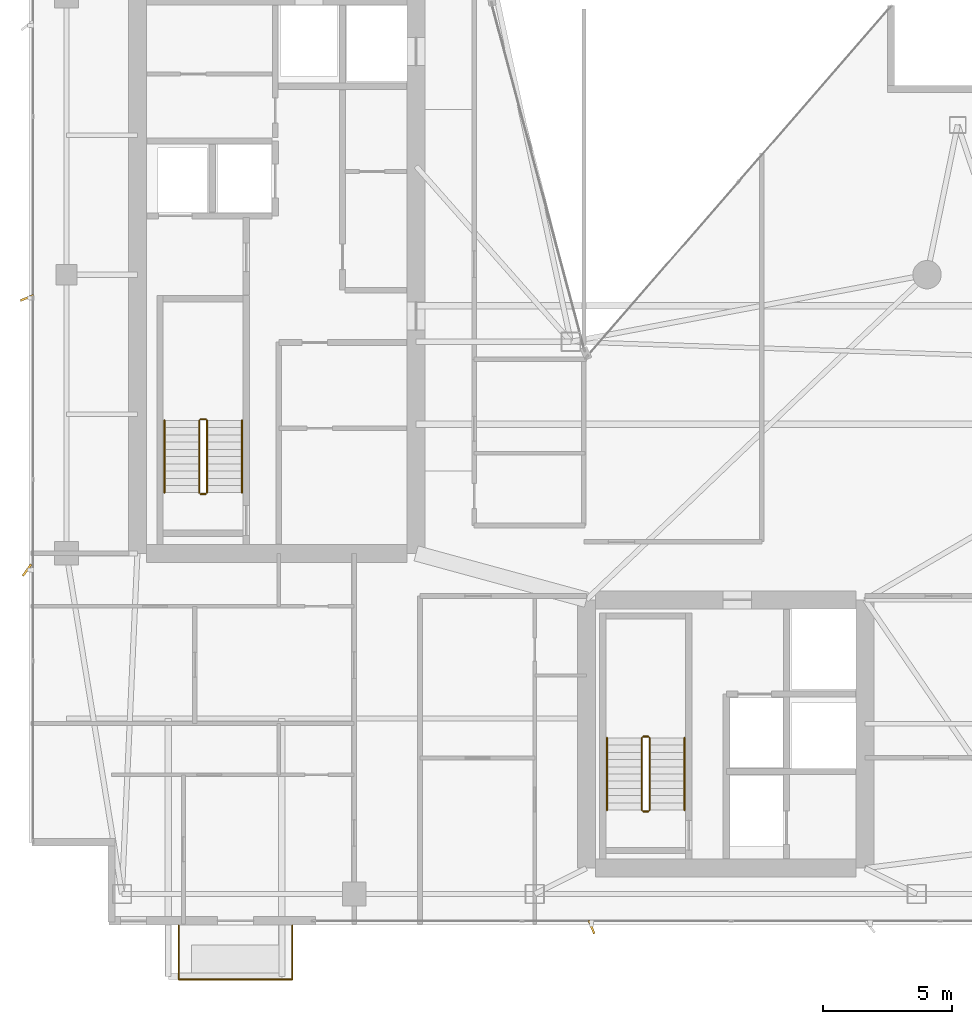
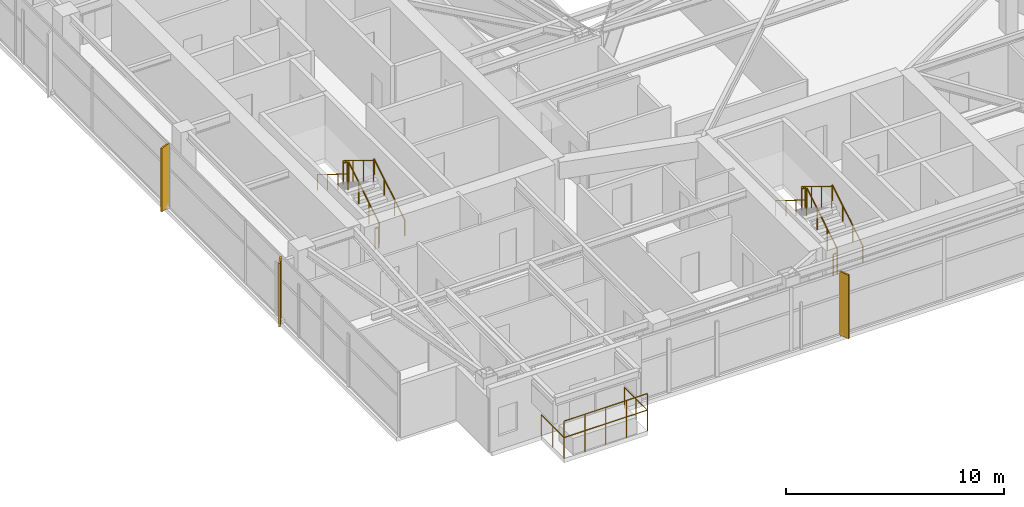
# One storey, part 28 of 29: 14 railings, 3 shading devices.
"""IFC4 building model written with IfcOpenShell, lengths in metres."""

import ifcopenshell
import ifcopenshell.guid

model = None  # the IFC model being written
_history = None  # IfcOwnerHistory: only IFC2X3 demands one
_inside = {}  # id of a spatial element -> (the spatial element, [elements in it])
_under = {}  # id of a project, library or spatial element -> (it, [spatial elements below it])
_declared = {}  # id of a project -> (the project, [libraries it declares])
_typed = {}  # id of a type object -> (the type object, [elements of that type])
_made_of = {}  # id of a material, layer set ... -> (it, [elements and type objects made of it])


def new_model(schema):
    """Start an empty IFC model of exactly this schema.

    Asked for "IFC4X3", IfcOpenShell would pick the latest addendum, in which some entities
    have other attributes; the version numbers below select the first issue.
    IFC2X3 requires an IfcOwnerHistory on every rooted entity: one is made here for all.
    """
    global model, _history
    if schema == "IFC4X3":
        model = ifcopenshell.file(schema_version=(4, 3, 0, 0))
    else:
        model = ifcopenshell.file(schema=schema)
    _inside.clear()
    _under.clear()
    _declared.clear()
    _typed.clear()
    _made_of.clear()
    _history = None
    if model.schema == "IFC2X3":
        org = make("IfcOrganization", Name="unknown")
        user = make(
            "IfcPersonAndOrganization",
            ThePerson=make("IfcPerson", FamilyName="unknown"),
            TheOrganization=org,
        )
        app = make(
            "IfcApplication",
            ApplicationDeveloper=org,
            Version="unknown",
            ApplicationFullName="unknown",
            ApplicationIdentifier="unknown",
        )
        _history = make(
            "IfcOwnerHistory",
            OwningUser=user,
            OwningApplication=app,
            ChangeAction="ADDED",
            CreationDate=0,
        )
    return model


def make(cls, **values):
    """One entity of the class cls with the attributes given. An attribute that is None is left unset."""
    return model.create_entity(
        cls, **{name: value for name, value in values.items() if value is not None}
    )


def rooted(cls, **values):
    """An entity with a GlobalId (a new one), such as an element, a storey or a relation."""
    return make(cls, GlobalId=ifcopenshell.guid.new(), OwnerHistory=_history, **values)


def si_unit(unit_type, name, prefix=None):
    """IfcSIUnit, for example si_unit("LENGTHUNIT", "METRE", prefix="MILLI")."""
    return make("IfcSIUnit", UnitType=unit_type, Prefix=prefix, Name=name)


def assignment(units):
    """IfcUnitAssignment: the units of a project."""
    return None if units is None else make("IfcUnitAssignment", Units=units)


def point(xyz):
    """IfcCartesianPoint."""
    return None if xyz is None else make("IfcCartesianPoint", Coordinates=xyz)


def direction(xyz):
    """IfcDirection."""
    return None if xyz is None else make("IfcDirection", DirectionRatios=xyz)


def frame(location, z_axis=None, x_axis=None):
    """IfcAxis2Placement3D, a coordinate frame: its origin and axes. An axis left out is left unset."""
    return make(
        "IfcAxis2Placement3D",
        Location=point(location),
        Axis=direction(z_axis),
        RefDirection=direction(x_axis),
    )


def frame_2d(location, x_axis=None):
    """IfcAxis2Placement2D, a coordinate frame in the plane: its origin and x axis."""
    return make(
        "IfcAxis2Placement2D", Location=point(location), RefDirection=direction(x_axis)
    )


def origin():
    """The frame at (0, 0, 0) with its axes left unset."""
    return frame((0.0, 0.0, 0.0))


def origin_2d():
    """The frame at (0, 0) in the plane with its x axis left unset."""
    return frame_2d((0.0, 0.0))


def place(relative_to, where):
    """IfcLocalPlacement: puts the frame where relative to a parent placement (None: the world)."""
    return make(
        "IfcLocalPlacement", PlacementRelTo=relative_to, RelativePlacement=where
    )


def context(
    kind, dimensions, precision=None, world=None, true_north=None, identifier=None
):
    """IfcGeometricRepresentationContext, for example the 3D "Model" context."""
    return make(
        "IfcGeometricRepresentationContext",
        ContextIdentifier=identifier,
        ContextType=kind,
        CoordinateSpaceDimension=dimensions,
        Precision=precision,
        WorldCoordinateSystem=world,
        TrueNorth=true_north,
    )


def subcontext(parent, identifier, kind, view, scale=None):
    """IfcGeometricRepresentationSubContext, for example "Body" below "Model"."""
    return make(
        "IfcGeometricRepresentationSubContext",
        ContextIdentifier=identifier,
        ContextType=kind,
        ParentContext=parent,
        TargetScale=scale,
        TargetView=view,
    )


def project(units=None, contexts=None):
    """IfcProject with its units and contexts."""
    return rooted(
        "IfcProject",
        Name="project",
        RepresentationContexts=contexts,
        UnitsInContext=assignment(units),
    )


def spatial(cls, under=None, at=None, **own):
    """A site, building, storey or space (cls), placed at a placement, below another one or the project."""
    s = rooted(cls, ObjectPlacement=at, **own)
    if under is not None:
        _under.setdefault(under.id(), (under, []))[1].append(s)
    return s


def profile(cls, at=None, kind="AREA", **sizes):
    """A parametric profile (cls). Its sizes go by their IFC names, for example OverallWidth=200.0."""
    return make(cls, ProfileType=kind, Position=at, **sizes)


def rectangle(**sizes):
    """IfcRectangleProfileDef."""
    return profile("IfcRectangleProfileDef", **sizes)


def circle(**sizes):
    """IfcCircleProfileDef."""
    return profile("IfcCircleProfileDef", **sizes)


def extrude(swept, where, along, depth):
    """IfcExtrudedAreaSolid: the profile swept, set in the frame where, extruded along a direction by depth."""
    return make(
        "IfcExtrudedAreaSolid",
        SweptArea=swept,
        Position=where,
        ExtrudedDirection=direction(along),
        Depth=depth,
    )


def shape(context_of_items, identifier, shape_type, items):
    """IfcShapeRepresentation: the items that make up one representation, for example the "Body"."""
    return make(
        "IfcShapeRepresentation",
        ContextOfItems=context_of_items,
        RepresentationIdentifier=identifier,
        RepresentationType=shape_type,
        Items=items,
    )


def material(Name=None, Category=None):
    """IfcMaterial."""
    return make("IfcMaterial", Name=Name, Category=Category)


def made_of(thing, what):
    """Note that an element or type object is made of a material, layer set ...; save() writes the relation."""
    if what is not None:
        _made_of.setdefault(what.id(), (what, []))[1].append(thing)
    return thing


def type_object(cls, material=None, **own):
    """A type object (cls), such as IfcWallType, which elements share."""
    return made_of(rooted(cls, **own), material)


def element(
    cls,
    number,
    at=None,
    inside=None,
    cuts=None,
    type_object=None,
    material=None,
    context=None,
    identifier="Body",
    shape_type=None,
    held_by="IfcProductDefinitionShape",
    body=None,
    shapes=None,
    **own,
):
    """One element of the class cls, such as IfcWall. Its Tag is "e" and its number.

    at: its placement. inside: the storey or other place that contains it. cuts: it is an
    opening in that element (IfcRelVoidsElement). A single representation is given by context,
    identifier, shape_type and body (its items); several are given by shapes. held_by: the class
    of the entity that holds the representations. save() writes the other relations.
    """
    e = rooted(cls, Tag="e%d" % number, ObjectPlacement=at, **own)
    if body is not None:
        shapes = [shape(context, identifier, shape_type, body)]
    if shapes is not None:
        e.Representation = make(held_by, Representations=shapes)
    if inside is not None:
        _inside.setdefault(inside.id(), (inside, []))[1].append(e)
    if cuts is not None:
        rooted(
            "IfcRelVoidsElement", RelatingBuildingElement=cuts, RelatedOpeningElement=e
        )
    if type_object is not None:
        _typed.setdefault(type_object.id(), (type_object, []))[1].append(e)
    return made_of(e, material)


def aggregate(whole, parts):
    """IfcRelAggregates: a whole, such as a stair, and the parts it consists of."""
    return rooted("IfcRelAggregates", RelatingObject=whole, RelatedObjects=parts)


def save(model, path):
    """Write the relations noted so far, then the file.

    IfcRelAggregates (storeys below a building ...), IfcRelContainedInSpatialStructure (elements
    in a storey), IfcRelDefinesByType, IfcRelAssociatesMaterial and IfcRelDeclares: one each for
    every whole, place, type object, material and project.
    """
    for whole, parts in _under.values():
        aggregate(whole, parts)
    for where, things in _inside.values():
        rooted(
            "IfcRelContainedInSpatialStructure",
            RelatedElements=things,
            RelatingStructure=where,
        )
    for kind, things in _typed.values():
        rooted("IfcRelDefinesByType", RelatedObjects=things, RelatingType=kind)
    for what, things in _made_of.values():
        rooted("IfcRelAssociatesMaterial", RelatedObjects=things, RelatingMaterial=what)
    for by, libraries in _declared.values():
        rooted("IfcRelDeclares", RelatingContext=by, RelatedDefinitions=libraries)
    model.write(path)


model = new_model("IFC4")

# Units and contexts
model_context = context("Model", 3, precision=1e-05, world=origin(), true_north=direction((0.0, 1.0)))
body_context = subcontext(model_context, "Body", "Model", "MODEL_VIEW")
ifc_project = project(units=[si_unit("LENGTHUNIT", "METRE"), si_unit("AREAUNIT", "SQUARE_METRE"), si_unit("VOLUMEUNIT", "CUBIC_METRE"), si_unit("PLANEANGLEUNIT", "RADIAN"), si_unit("MASSUNIT", "GRAM", prefix="KILO")], contexts=[model_context])

# Site, building, storey
site_placement = place(None, origin())
site = spatial("IfcSite", under=ifc_project, at=site_placement, CompositionType="ELEMENT")
building_placement = place(site_placement, origin())
building = spatial("IfcBuilding", under=site, at=building_placement, Name="Calvorn Quay Hotel", CompositionType="ELEMENT")
storey_placement = place(building_placement, frame((0.0, 0.0, 251.39990234375)))
storey = spatial("IfcBuildingStorey", under=building, at=storey_placement, Name="L62", CompositionType="ELEMENT", Elevation=251.39990234375)

# Railings
ifc_material_1 = material(Name="Pale Anodised Aluminium and Laminated Glass", Category="aluminium")
railing_type_1 = type_object("IfcRailingType", Name="RLG-BALUSTRADE-1200", PredefinedType="BALUSTRADE", material=ifc_material_1)
railing_1_placement = place(storey_placement, frame((5.800048828125, 2.389892578125, 0.0)))
element("IfcRailing", 1, at=railing_1_placement, inside=storey, type_object=railing_type_1, Name="Tree Balcony Perimeter Balustrade L62-BALC-S", PredefinedType="BALUSTRADE", context=body_context, shape_type="SweptSolid", body=[
    extrude(circle(Radius=0.02392578125, at=origin_2d()), frame((0.0, 0.0, 1.17578125), z_axis=(0.0, -1.0, 0.0), x_axis=(1.0, 0.0, 0.0)), (0.0, 0.0, 1.0), 2.099853515625),
    extrude(circle(Radius=0.02392578125, at=origin_2d()), frame((0.0, -2.099853515625, 1.17578125), z_axis=(1.0, 0.0, 0.0), x_axis=(0.0, 1.0, 0.0)), (0.0, 0.0, 1.0), 4.39990234375),
    extrude(circle(Radius=0.02392578125, at=origin_2d()), frame((4.39990234375, -2.099853515625, 1.17578125), z_axis=(0.0, 1.0, 0.0), x_axis=(-1.0, 0.0, 0.0)), (0.0, 0.0, 1.0), 2.099853515625),
    extrude(circle(Radius=0.02099609375, at=origin_2d()), origin(), (0.0, 0.0, 1.0), 1.15185546875),
    extrude(circle(Radius=0.02099609375, at=origin_2d()), frame((0.0, -1.0498046875, 0.0)), (0.0, 0.0, 1.0), 1.15185546875),
    extrude(circle(Radius=0.02099609375, at=origin_2d()), frame((0.0, -2.099853515625, 0.0)), (0.0, 0.0, 1.0), 1.15185546875),
    extrude(circle(Radius=0.02099609375, at=origin_2d()), frame((1.10009765625, -2.099853515625, 0.0)), (0.0, 0.0, 1.0), 1.15185546875),
    extrude(circle(Radius=0.02099609375, at=origin_2d()), frame((2.199951171875, -2.099853515625, 0.0)), (0.0, 0.0, 1.0), 1.15185546875),
    extrude(circle(Radius=0.02099609375, at=origin_2d()), frame((3.2998046875, -2.099853515625, 0.0)), (0.0, 0.0, 1.0), 1.15185546875),
    extrude(circle(Radius=0.02099609375, at=origin_2d()), frame((4.39990234375, -2.099853515625, 0.0)), (0.0, 0.0, 1.0), 1.15185546875),
    extrude(circle(Radius=0.02099609375, at=origin_2d()), frame((4.39990234375, -1.0498046875, 0.0)), (0.0, 0.0, 1.0), 1.15185546875),
    extrude(circle(Radius=0.02099609375, at=origin_2d()), frame((4.39990234375, 0.0, 0.0)), (0.0, 0.0, 1.0), 1.15185546875),
])
railing_2_placement = place(storey_placement, frame((5.800048828125, 0.2900390625, 0.900146484375)))
element("IfcRailing", 2, at=railing_2_placement, inside=storey, type_object=railing_type_1, Name="Planter Kerb High Safety Screen L62-BALC-S", PredefinedType="BALUSTRADE", context=body_context, shape_type="SweptSolid", body=[
    extrude(circle(Radius=0.02392578125, at=origin_2d()), frame((0.0, 0.0, 1.19580078125), z_axis=(1.0, 0.0, 0.0), x_axis=(0.0, 1.0, 0.0)), (0.0, 0.0, 1.0), 4.39990234375),
    extrude(circle(Radius=0.02099609375, at=origin_2d()), origin(), (0.0, 0.0, 1.0), 1.171875),
    extrude(circle(Radius=0.02099609375, at=origin_2d()), frame((1.10009765625, 0.0, 0.0)), (0.0, 0.0, 1.0), 1.171875),
    extrude(circle(Radius=0.02099609375, at=origin_2d()), frame((2.199951171875, 0.0, 0.0)), (0.0, 0.0, 1.0), 1.171875),
    extrude(circle(Radius=0.02099609375, at=origin_2d()), frame((3.2998046875, 0.0, 0.0)), (0.0, 0.0, 1.0), 1.171875),
    extrude(circle(Radius=0.02099609375, at=origin_2d()), frame((4.39990234375, 0.0, 0.0)), (0.0, 0.0, 1.0), 1.171875),
])
ifc_material_2 = material(Name="Brushed Stainless Steel Handrail", Category="steel")
railing_type_2 = type_object("IfcRailingType", Name="RLG-HANDRAIL-900", PredefinedType="HANDRAIL", material=ifc_material_2)
railing_3_placement = place(storey_placement, frame((8.25, 19.14990234375, 0.1728515625)))
element("IfcRailing", 3, at=railing_3_placement, inside=storey, type_object=railing_type_2, Name="L62 ST-W stair handrail 1", PredefinedType="HANDRAIL", context=body_context, shape_type="SweptSolid", body=[
    extrude(circle(Radius=0.02392578125, at=origin_2d()), frame((0.0, 0.0, 0.8759765625), z_axis=(0.0, 0.851089632645, 0.525020415988), x_axis=(-1.0, 0.0, 0.0)), (0.0, 0.0, 1.0), 3.2900390625),
    extrude(circle(Radius=0.02099609375, at=origin_2d()), origin(), (0.0, 0.0, 1.0), 0.851806640625),
    extrude(circle(Radius=0.02099609375, at=origin_2d()), frame((0.0, 0.933349609375, 0.57568359375)), (0.0, 0.0, 1.0), 0.851806640625),
    extrude(circle(Radius=0.02099609375, at=origin_2d()), frame((0.0, 1.86669921875, 1.151611328125)), (0.0, 0.0, 1.0), 0.851806640625),
    extrude(circle(Radius=0.02099609375, at=origin_2d()), frame((0.0, 2.800048828125, 1.727294921875)), (0.0, 0.0, 1.0), 0.851806640625),
])
railing_4_placement = place(storey_placement, frame((5.25, 21.949951171875, 2.07275390625)))
element("IfcRailing", 4, at=railing_4_placement, inside=storey, type_object=railing_type_2, Name="L62 ST-W stair handrail 2", PredefinedType="HANDRAIL", context=body_context, shape_type="SweptSolid", body=[
    extrude(circle(Radius=0.02392578125, at=origin_2d()), frame((0.0, 0.0, 0.8759765625), z_axis=(0.0, -0.851089632645, 0.525020415988), x_axis=(1.0, 0.0, 0.0)), (0.0, 0.0, 1.0), 3.2900390625),
    extrude(circle(Radius=0.02099609375, at=origin_2d()), origin(), (0.0, 0.0, 1.0), 0.851806640625),
    extrude(circle(Radius=0.02099609375, at=origin_2d()), frame((0.0, -0.933349609375, 0.57568359375)), (0.0, 0.0, 1.0), 0.851806640625),
    extrude(circle(Radius=0.02099609375, at=origin_2d()), frame((0.0, -1.86669921875, 1.151611328125)), (0.0, 0.0, 1.0), 0.851806640625),
    extrude(circle(Radius=0.02099609375, at=origin_2d()), frame((0.0, -2.800048828125, 1.727294921875)), (0.0, 0.0, 1.0), 0.851806640625),
])
railing_5_placement = place(storey_placement, frame((25.39990234375, 6.85009765625, 0.1728515625)))
element("IfcRailing", 5, at=railing_5_placement, inside=storey, type_object=railing_type_2, Name="L62 ST-E stair handrail 1", PredefinedType="HANDRAIL", context=body_context, shape_type="SweptSolid", body=[
    extrude(circle(Radius=0.02392578125, at=origin_2d()), frame((0.0, 0.0, 0.8759765625), z_axis=(0.0, 0.851069175582, 0.525053576669), x_axis=(-1.0, 0.0, 0.0)), (0.0, 0.0, 1.0), 3.289794921875),
    extrude(circle(Radius=0.02099609375, at=origin_2d()), origin(), (0.0, 0.0, 1.0), 0.851806640625),
    extrude(circle(Radius=0.02099609375, at=origin_2d()), frame((0.0, 0.933349609375, 0.57568359375)), (0.0, 0.0, 1.0), 0.851806640625),
    extrude(circle(Radius=0.02099609375, at=origin_2d()), frame((0.0, 1.866455078125, 1.151611328125)), (0.0, 0.0, 1.0), 0.851806640625),
    extrude(circle(Radius=0.02099609375, at=origin_2d()), frame((0.0, 2.7998046875, 1.727294921875)), (0.0, 0.0, 1.0), 0.851806640625),
])
railing_6_placement = place(storey_placement, frame((22.39990234375, 9.64990234375, 2.07275390625)))
element("IfcRailing", 6, at=railing_6_placement, inside=storey, type_object=railing_type_2, Name="L62 ST-E stair handrail 2", PredefinedType="HANDRAIL", context=body_context, shape_type="SweptSolid", body=[
    extrude(circle(Radius=0.02392578125, at=origin_2d()), frame((0.0, 0.0, 0.8759765625), z_axis=(0.0, -0.851069175582, 0.525053576669), x_axis=(1.0, 0.0, 0.0)), (0.0, 0.0, 1.0), 3.289794921875),
    extrude(circle(Radius=0.02099609375, at=origin_2d()), origin(), (0.0, 0.0, 1.0), 0.851806640625),
    extrude(circle(Radius=0.02099609375, at=origin_2d()), frame((0.0, -0.933349609375, 0.57568359375)), (0.0, 0.0, 1.0), 0.851806640625),
    extrude(circle(Radius=0.02099609375, at=origin_2d()), frame((0.0, -1.866455078125, 1.151611328125)), (0.0, 0.0, 1.0), 0.851806640625),
    extrude(circle(Radius=0.02099609375, at=origin_2d()), frame((0.0, -2.7998046875, 1.727294921875)), (0.0, 0.0, 1.0), 0.851806640625),
])
ifc_material_3 = material(Name="Painted Galvanised Steel Balustrade", Category="steel")
railing_type_3 = type_object("IfcRailingType", Name="RLG-STAIR-GUARD-1120", PredefinedType="GUARDRAIL", material=ifc_material_3)
railing_7_placement = place(storey_placement, frame((6.89990234375, 19.14990234375, 0.1728515625)))
element("IfcRailing", 7, at=railing_7_placement, inside=storey, type_object=railing_type_3, Name="L62 ST-W stair guard 1", PredefinedType="GUARDRAIL", context=body_context, shape_type="SweptSolid", body=[
    extrude(circle(Radius=0.02392578125, at=origin_2d()), frame((0.0, 0.0, 1.17578125), z_axis=(0.0, 0.851089632645, 0.525020415988), x_axis=(-1.0, 0.0, 0.0)), (0.0, 0.0, 1.0), 3.2900390625),
    extrude(circle(Radius=0.02099609375, at=origin_2d()), origin(), (0.0, 0.0, 1.0), 1.15185546875),
    extrude(circle(Radius=0.02099609375, at=origin_2d()), frame((0.0, 0.933349609375, 0.57568359375)), (0.0, 0.0, 1.0), 1.15185546875),
    extrude(circle(Radius=0.02099609375, at=origin_2d()), frame((0.0, 1.86669921875, 1.151611328125)), (0.0, 0.0, 1.0), 1.15185546875),
    extrude(circle(Radius=0.02099609375, at=origin_2d()), frame((0.0, 2.800048828125, 1.727294921875)), (0.0, 0.0, 1.0), 1.15185546875),
])
railing_8_placement = place(storey_placement, frame((6.85009765625, 22.0, 1.900146484375)))
element("IfcRailing", 8, at=railing_8_placement, inside=storey, type_object=railing_type_3, Name="L62 ST-W stair guard 2", PredefinedType="GUARDRAIL", context=body_context, shape_type="SweptSolid", body=[
    extrude(circle(Radius=0.02392578125, at=origin_2d()), frame((0.0, 0.0, 1.17578125), z_axis=(-1.0, 0.0, 0.0), x_axis=(0.0, -1.0, 0.0)), (0.0, 0.0, 1.0), 0.2001953125),
    extrude(circle(Radius=0.02099609375, at=origin_2d()), origin(), (0.0, 0.0, 1.0), 1.15185546875),
    extrude(circle(Radius=0.02099609375, at=origin_2d()), frame((-0.2001953125, 0.0, 0.0)), (0.0, 0.0, 1.0), 1.15185546875),
])
railing_9_placement = place(storey_placement, frame((6.60009765625, 21.949951171875, 2.07275390625)))
element("IfcRailing", 9, at=railing_9_placement, inside=storey, type_object=railing_type_3, Name="L62 ST-W stair guard 3", PredefinedType="GUARDRAIL", context=body_context, shape_type="SweptSolid", body=[
    extrude(circle(Radius=0.02392578125, at=origin_2d()), frame((0.0, 0.0, 1.17578125), z_axis=(0.0, -0.851089632645, 0.525020415988), x_axis=(1.0, 0.0, 0.0)), (0.0, 0.0, 1.0), 3.2900390625),
    extrude(circle(Radius=0.02099609375, at=origin_2d()), origin(), (0.0, 0.0, 1.0), 1.15185546875),
    extrude(circle(Radius=0.02099609375, at=origin_2d()), frame((0.0, -0.933349609375, 0.57568359375)), (0.0, 0.0, 1.0), 1.15185546875),
    extrude(circle(Radius=0.02099609375, at=origin_2d()), frame((0.0, -1.86669921875, 1.151611328125)), (0.0, 0.0, 1.0), 1.15185546875),
    extrude(circle(Radius=0.02099609375, at=origin_2d()), frame((0.0, -2.800048828125, 1.727294921875)), (0.0, 0.0, 1.0), 1.15185546875),
])
railing_10_placement = place(storey_placement, frame((6.85009765625, 19.10009765625, 0.0)))
element("IfcRailing", 10, at=railing_10_placement, inside=storey, type_object=railing_type_3, Name="L62 ST-W stair guard 4", PredefinedType="GUARDRAIL", context=body_context, shape_type="SweptSolid", body=[
    extrude(circle(Radius=0.02392578125, at=origin_2d()), frame((0.0, 0.0, 1.17578125), z_axis=(-1.0, 0.0, 0.0), x_axis=(0.0, -1.0, 0.0)), (0.0, 0.0, 1.0), 0.2001953125),
    extrude(circle(Radius=0.02099609375, at=origin_2d()), origin(), (0.0, 0.0, 1.0), 1.15185546875),
    extrude(circle(Radius=0.02099609375, at=origin_2d()), frame((-0.2001953125, 0.0, 0.0)), (0.0, 0.0, 1.0), 1.15185546875),
])
railing_11_placement = place(storey_placement, frame((24.050048828125, 6.85009765625, 0.1728515625)))
element("IfcRailing", 11, at=railing_11_placement, inside=storey, type_object=railing_type_3, Name="L62 ST-E stair guard 1", PredefinedType="GUARDRAIL", context=body_context, shape_type="SweptSolid", body=[
    extrude(circle(Radius=0.02392578125, at=origin_2d()), frame((0.0, 0.0, 1.17578125), z_axis=(0.0, 0.851069175582, 0.525053576669), x_axis=(-1.0, 0.0, 0.0)), (0.0, 0.0, 1.0), 3.289794921875),
    extrude(circle(Radius=0.02099609375, at=origin_2d()), origin(), (0.0, 0.0, 1.0), 1.15185546875),
    extrude(circle(Radius=0.02099609375, at=origin_2d()), frame((0.0, 0.933349609375, 0.57568359375)), (0.0, 0.0, 1.0), 1.15185546875),
    extrude(circle(Radius=0.02099609375, at=origin_2d()), frame((0.0, 1.866455078125, 1.151611328125)), (0.0, 0.0, 1.0), 1.15185546875),
    extrude(circle(Radius=0.02099609375, at=origin_2d()), frame((0.0, 2.7998046875, 1.727294921875)), (0.0, 0.0, 1.0), 1.15185546875),
])
railing_12_placement = place(storey_placement, frame((24.0, 9.699951171875, 1.900146484375)))
element("IfcRailing", 12, at=railing_12_placement, inside=storey, type_object=railing_type_3, Name="L62 ST-E stair guard 2", PredefinedType="GUARDRAIL", context=body_context, shape_type="SweptSolid", body=[
    extrude(circle(Radius=0.02392578125, at=origin_2d()), frame((0.0, 0.0, 1.17578125), z_axis=(-1.0, 0.0, 0.0), x_axis=(0.0, -1.0, 0.0)), (0.0, 0.0, 1.0), 0.199951171875),
    extrude(circle(Radius=0.02099609375, at=origin_2d()), origin(), (0.0, 0.0, 1.0), 1.15185546875),
    extrude(circle(Radius=0.02099609375, at=origin_2d()), frame((-0.199951171875, 0.0, 0.0)), (0.0, 0.0, 1.0), 1.15185546875),
])
railing_13_placement = place(storey_placement, frame((23.75, 9.64990234375, 2.07275390625)))
element("IfcRailing", 13, at=railing_13_placement, inside=storey, type_object=railing_type_3, Name="L62 ST-E stair guard 3", PredefinedType="GUARDRAIL", context=body_context, shape_type="SweptSolid", body=[
    extrude(circle(Radius=0.02392578125, at=origin_2d()), frame((0.0, 0.0, 1.17578125), z_axis=(0.0, -0.851069175582, 0.525053576669), x_axis=(1.0, 0.0, 0.0)), (0.0, 0.0, 1.0), 3.289794921875),
    extrude(circle(Radius=0.02099609375, at=origin_2d()), origin(), (0.0, 0.0, 1.0), 1.15185546875),
    extrude(circle(Radius=0.02099609375, at=origin_2d()), frame((0.0, -0.933349609375, 0.57568359375)), (0.0, 0.0, 1.0), 1.15185546875),
    extrude(circle(Radius=0.02099609375, at=origin_2d()), frame((0.0, -1.866455078125, 1.151611328125)), (0.0, 0.0, 1.0), 1.15185546875),
    extrude(circle(Radius=0.02099609375, at=origin_2d()), frame((0.0, -2.7998046875, 1.727294921875)), (0.0, 0.0, 1.0), 1.15185546875),
])
railing_14_placement = place(storey_placement, frame((24.0, 6.800048828125, 0.0)))
element("IfcRailing", 14, at=railing_14_placement, inside=storey, type_object=railing_type_3, Name="L62 ST-E stair guard 4", PredefinedType="GUARDRAIL", context=body_context, shape_type="SweptSolid", body=[
    extrude(circle(Radius=0.02392578125, at=origin_2d()), frame((0.0, 0.0, 1.17578125), z_axis=(-1.0, 0.0, 0.0), x_axis=(0.0, -1.0, 0.0)), (0.0, 0.0, 1.0), 0.199951171875),
    extrude(circle(Radius=0.02099609375, at=origin_2d()), origin(), (0.0, 0.0, 1.0), 1.15185546875),
    extrude(circle(Radius=0.02099609375, at=origin_2d()), frame((-0.199951171875, 0.0, 0.0)), (0.0, 0.0, 1.0), 1.15185546875),
])

# Shading devices
ifc_material_4 = material(Name="Champagne Bronze Anodised Aluminium 6063-T6", Category="aluminium")
shading_device_type_1 = type_object("IfcShadingDeviceType", Name="SHD-FIN-A1", PredefinedType="USERDEFINED", material=ifc_material_4)
for number, where, z_axis, x_axis, name in (
    (15, (-0.080078125, 26.699951171875, 0.0), (0.0, 0.0, 1.0), (0.927183854567, 0.374606593416, 0.0), "Diagonal Sun-Shading Fin L62-W02"),
    (16, (21.800048828125, 2.320068359375, 0.0), (0.0, 0.0, 1.0), (-0.374606593416, 0.927183854567, 0.0), "Diagonal Sun-Shading Fin L62-S01"),
):
    element("IfcShadingDevice", number, at=place(storey_placement, frame(where, z_axis=z_axis, x_axis=x_axis)), inside=storey, type_object=shading_device_type_1, Name=name, ObjectType="FIN", PredefinedType="USERDEFINED", context=body_context, shape_type="SweptSolid", body=[
        extrude(rectangle(XDim=0.550048828125, YDim=0.080078125, at=origin_2d()), origin(), (0.0, 0.0, 1.0), 3.56005859375),
    ])
ifc_material_5 = material(Name="Champagne Bronze Anodised Aluminium 6063-T6", Category="aluminium")
shading_device_type_2 = type_object("IfcShadingDeviceType", Name="SHD-FIN-A3", PredefinedType="USERDEFINED", material=ifc_material_5)
shading_device_placement = place(storey_placement, frame((-0.080078125, 16.14990234375, 0.0), z_axis=(0.0, 0.0, 1.0), x_axis=(0.587785252292, 0.809016994375, 0.0)))
element("IfcShadingDevice", 17, at=shading_device_placement, inside=storey, type_object=shading_device_type_2, Name="Diagonal Sun-Shading Fin L62-W01", ObjectType="FIN", PredefinedType="USERDEFINED", context=body_context, shape_type="SweptSolid", body=[
    extrude(rectangle(XDim=0.550048828125, YDim=0.080078125, at=origin_2d()), origin(), (0.0, 0.0, 1.0), 3.56005859375),
])

save(model, "model.ifc")
